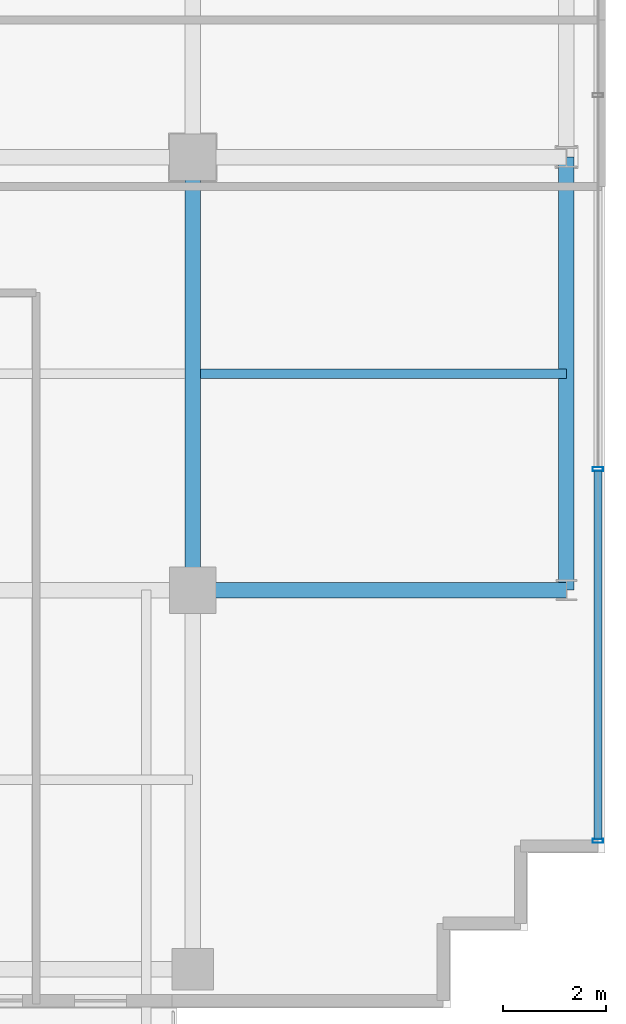
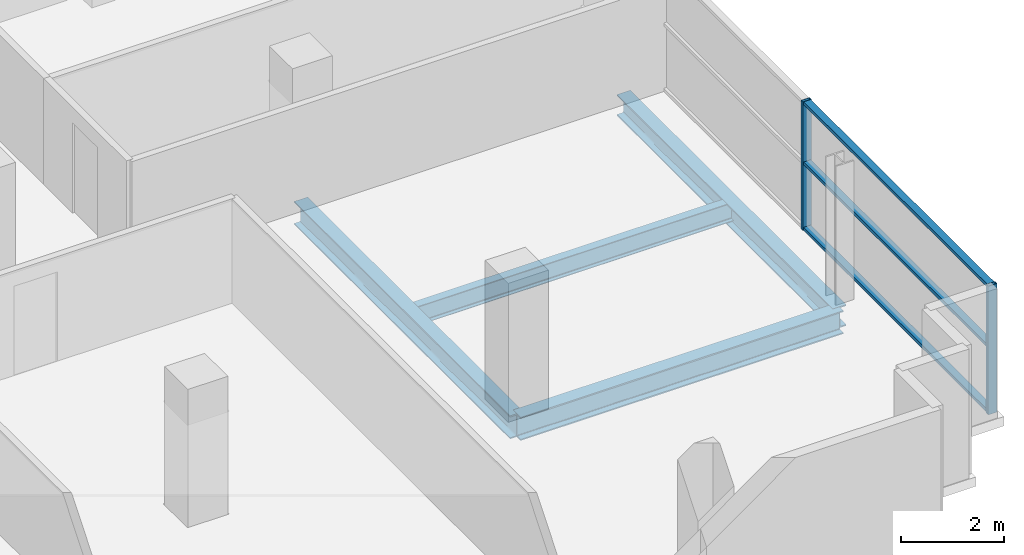
# One storey, part 7 of 23: 5 members, 4 beams, 1 element without a shape of its own.
"""IFC4 building model written with IfcOpenShell, lengths in metres."""

from ifc_helpers import new_model, si_unit, direction, frame, origin, origin_2d, place, context, subcontext, project, spatial, hollow_rectangle, i_section, extrude, source, transform, mapped, material, layer, layer_set, material_profile, profile_set, type_object, element, aggregate, save


model = new_model("IFC4")

# Units and contexts
model_context = context("Model", 3, precision=1e-05, world=origin(), true_north=direction((0.0, 1.0)))
body_context = subcontext(model_context, "Body", "Model", "MODEL_VIEW")
ifc_project = project(units=[si_unit("LENGTHUNIT", "METRE"), si_unit("AREAUNIT", "SQUARE_METRE"), si_unit("VOLUMEUNIT", "CUBIC_METRE"), si_unit("PLANEANGLEUNIT", "RADIAN"), si_unit("MASSUNIT", "GRAM", prefix="KILO")], contexts=[model_context])

# Site, building, storey
site_placement = place(None, origin())
site = spatial("IfcSite", under=ifc_project, at=site_placement, CompositionType="ELEMENT")
building_placement = place(site_placement, origin())
building = spatial("IfcBuilding", under=site, at=building_placement, Name="Zarnakvel Exchange Tower", CompositionType="ELEMENT")
storey_placement = place(building_placement, frame((0.0, 0.0, 129.699951171875)))
storey = spatial("IfcBuildingStorey", under=building, at=storey_placement, Name="L36", CompositionType="ELEMENT", Elevation=129.699951171875)

# Beams
ifc_material_1 = material(Name="Steel S355", Category="steel")
ifc_material_profile_1 = material_profile(ifc_material_1, i_section(OverallWidth=0.18994140625, OverallDepth=0.449951171875, WebThickness=0.009521484375, FlangeThickness=0.0146484375, FilletRadius=0.02099609375, at=origin_2d()))
ifc_profile_set_1 = profile_set([ifc_material_profile_1], Name="Steel S355")
beam_type_1 = type_object("IfcBeamType", Name="B-05", PredefinedType="JOIST", material=ifc_profile_set_1)
beam_1_placement = place(storey_placement, frame((21.75, -5.39990234375, -0.449951171875), z_axis=(1.0, 0.0, 0.0), x_axis=(0.0, 1.0, 0.0)))
element("IfcBeam", 1, at=beam_1_placement, inside=storey, type_object=beam_type_1, Name="L36 Composite Floor Secondary Joist", PredefinedType="JOIST", context=body_context, shape_type="SweptSolid", body=[
    extrude(i_section(OverallWidth=0.18994140625, OverallDepth=0.449951171875, WebThickness=0.009521484375, FlangeThickness=0.0146484375, FilletRadius=0.02099609375, at=origin_2d()), origin(), (0.0, 0.0, 1.0), 7.10009765625),
])
ifc_material_profile_2 = material_profile(ifc_material_1, i_section(OverallWidth=0.300048828125, OverallDepth=0.550048828125, WebThickness=0.014892578125, FlangeThickness=0.029052734375, FilletRadius=0.027099609375, at=origin_2d()))
ifc_profile_set_2 = profile_set([ifc_material_profile_2], Name="Steel S355")
beam_type_2 = type_object("IfcBeamType", Name="G-05", PredefinedType="BEAM", material=ifc_profile_set_2)
beam_2_placement = place(storey_placement, frame((21.60009765625, -9.60009765625, -0.5), z_axis=(1.0, 0.0, 0.0), x_axis=(0.0, 1.0, 0.0)))
element("IfcBeam", 2, at=beam_2_placement, inside=storey, type_object=beam_type_2, Name="L36 Tower E-W Frame Beam", PredefinedType="BEAM", context=body_context, shape_type="SweptSolid", body=[
    extrude(i_section(OverallWidth=0.300048828125, OverallDepth=0.550048828125, WebThickness=0.014892578125, FlangeThickness=0.029052734375, FilletRadius=0.027099609375, at=origin_2d()), origin(), (0.0, 0.0, 1.0), 7.25),
])
beam_3_placement = place(storey_placement, frame((21.60009765625, -9.60009765625, -0.5), z_axis=(0.0, 1.0, 0.0), x_axis=(-1.0, 0.0, 0.0)))
element("IfcBeam", 3, at=beam_3_placement, inside=storey, type_object=beam_type_2, Name="L36 Tower N-S Frame Beam", PredefinedType="BEAM", context=body_context, shape_type="SweptSolid", body=[
    extrude(i_section(OverallWidth=0.300048828125, OverallDepth=0.550048828125, WebThickness=0.014892578125, FlangeThickness=0.029052734375, FilletRadius=0.027099609375, at=origin_2d()), origin(), (0.0, 0.0, 1.0), 8.400146484375),
])
ifc_material_profile_3 = material_profile(ifc_material_1, i_section(OverallWidth=0.300048828125, OverallDepth=0.5, WebThickness=0.014404296875, FlangeThickness=0.028076171875, FilletRadius=0.027099609375, at=origin_2d()))
ifc_profile_set_3 = profile_set([ifc_material_profile_3], Name="Steel S355")
beam_type_3 = type_object("IfcBeamType", Name="SP-02", PredefinedType="SPANDREL", material=ifc_profile_set_3)
beam_4_placement = place(storey_placement, frame((28.85009765625, -9.60009765625, -0.474853515625), z_axis=(0.0, 1.0, 0.0), x_axis=(-1.0, 0.0, 0.0)))
element("IfcBeam", 4, at=beam_4_placement, inside=storey, type_object=beam_type_3, Name="L36 Tower N-S Frame Beam", PredefinedType="SPANDREL", context=body_context, shape_type="SweptSolid", body=[
    extrude(i_section(OverallWidth=0.300048828125, OverallDepth=0.5, WebThickness=0.014404296875, FlangeThickness=0.028076171875, FilletRadius=0.027099609375, at=origin_2d()), origin(), (0.0, 0.0, 1.0), 8.400146484375),
])

# Curtain wall, members
ifc_material_2 = material(Name="Architectural Bronze Anodised Aluminium", Category="aluminium")
ifc_layer = layer(ifc_material_2, 0.199951171875)
ifc_layer_set = layer_set([ifc_layer], Name="Architectural Bronze Anodised Aluminium")
curtain_wall_type = type_object("IfcCurtainWallType", Name="CW-04", PredefinedType="NOTDEFINED", material=ifc_layer_set)
curtain_wall_placement = place(storey_placement, origin())
curtain_wall = element("IfcCurtainWall", 5, at=curtain_wall_placement, inside=storey, type_object=curtain_wall_type, Name="L36 Curtain Wall CW-L36-E1 (CW-04)", PredefinedType="NOTDEFINED")
ifc_material_profile_4 = material_profile(ifc_material_2, hollow_rectangle(XDim=0.199951171875, YDim=0.074951171875, WallThickness=0.0048828125, at=origin_2d()))
ifc_profile_set_4 = profile_set([ifc_material_profile_4], Name="Architectural Bronze Anodised Aluminium")
member_type_1 = type_object("IfcMemberType", Name="CWM-04", PredefinedType="MULLION", material=ifc_profile_set_4)
shared_shape_1 = source(origin(), body_context, "Body", "SweptSolid", [
    extrude(hollow_rectangle(XDim=0.199951171875, YDim=0.074951171875, WallThickness=0.0048828125, at=origin_2d()), origin(), (0.0, 0.0, 1.0), 3.054931640625),
])
member_1_placement = place(storey_placement, frame((29.4599609375, -14.46240234375, 0.0), z_axis=(0.0, 0.0, 1.0), x_axis=(-1.0, 0.0, 0.0)))
member_1 = element("IfcMember", 6, at=member_1_placement, type_object=member_type_1, Name="CW-04 mullion 1", PredefinedType="MULLION", context=body_context, shape_type="MappedRepresentation", body=[
    mapped(shared_shape_1, transform((0.0, 0.0, 0.0), x_axis=(1.0, 0.0, 0.0), y_axis=(0.0, 1.0, 0.0), z_axis=(0.0, 0.0, 1.0), scale=1.0)),
])
member_2_placement = place(storey_placement, frame((29.4599609375, -7.25, 0.0), z_axis=(0.0, 0.0, 1.0), x_axis=(-1.0, 0.0, 0.0)))
member_2 = element("IfcMember", 7, at=member_2_placement, type_object=member_type_1, Name="CW-04 mullion 2", PredefinedType="MULLION", context=body_context, shape_type="MappedRepresentation", body=[
    mapped(shared_shape_1, transform((0.0, 0.0, 0.0), x_axis=(1.0, 0.0, 0.0), y_axis=(0.0, 1.0, 0.0), z_axis=(0.0, 0.0, 1.0), scale=1.0)),
])
ifc_material_profile_5 = material_profile(ifc_material_2, hollow_rectangle(XDim=0.159912109375, YDim=0.074951171875, WallThickness=0.00390625, at=origin_2d()))
ifc_profile_set_5 = profile_set([ifc_material_profile_5], Name="Architectural Bronze Anodised Aluminium")
member_type_2 = type_object("IfcMemberType", Name="CWT-04", PredefinedType="USERDEFINED", material=ifc_profile_set_5)
shared_shape_2 = source(origin(), body_context, "Body", "SweptSolid", [
    extrude(hollow_rectangle(XDim=0.159912109375, YDim=0.074951171875, WallThickness=0.00390625, at=origin_2d()), origin(), (0.0, 0.0, 1.0), 7.137451171875),
])
member_3_placement = place(storey_placement, frame((29.4599609375, -14.425048828125, 0.03759765625), z_axis=(0.0, 1.0, 0.0), x_axis=(-1.0, 0.0, 0.0)))
member_3 = element("IfcMember", 8, at=member_3_placement, type_object=member_type_2, Name="CW-04 transom 1.1", ObjectType="TRANSOM", PredefinedType="USERDEFINED", context=body_context, shape_type="MappedRepresentation", body=[
    mapped(shared_shape_2, transform((0.0, 0.0, 0.0), x_axis=(1.0, 0.0, 0.0), y_axis=(0.0, 1.0, 0.0), z_axis=(0.0, 0.0, 1.0), scale=1.0)),
])
member_4_placement = place(storey_placement, frame((29.4599609375, -14.425048828125, 1.588623046875), z_axis=(0.0, 1.0, 0.0), x_axis=(-1.0, 0.0, 0.0)))
member_4 = element("IfcMember", 9, at=member_4_placement, type_object=member_type_2, Name="CW-04 transom 1.2", ObjectType="TRANSOM", PredefinedType="USERDEFINED", context=body_context, shape_type="MappedRepresentation", body=[
    mapped(shared_shape_2, transform((0.0, 0.0, 0.0), x_axis=(1.0, 0.0, 0.0), y_axis=(0.0, 1.0, 0.0), z_axis=(0.0, 0.0, 1.0), scale=1.0)),
])
member_5_placement = place(storey_placement, frame((29.4599609375, -14.425048828125, 3.017578125), z_axis=(0.0, 1.0, 0.0), x_axis=(-1.0, 0.0, 0.0)))
member_5 = element("IfcMember", 10, at=member_5_placement, type_object=member_type_2, Name="CW-04 transom 1.3", ObjectType="TRANSOM", PredefinedType="USERDEFINED", context=body_context, shape_type="MappedRepresentation", body=[
    mapped(shared_shape_2, transform((0.0, 0.0, 0.0), x_axis=(1.0, 0.0, 0.0), y_axis=(0.0, 1.0, 0.0), z_axis=(0.0, 0.0, 1.0), scale=1.0)),
])
aggregate(curtain_wall, [member_1, member_2, member_3, member_4, member_5])

save(model, "model.ifc")
